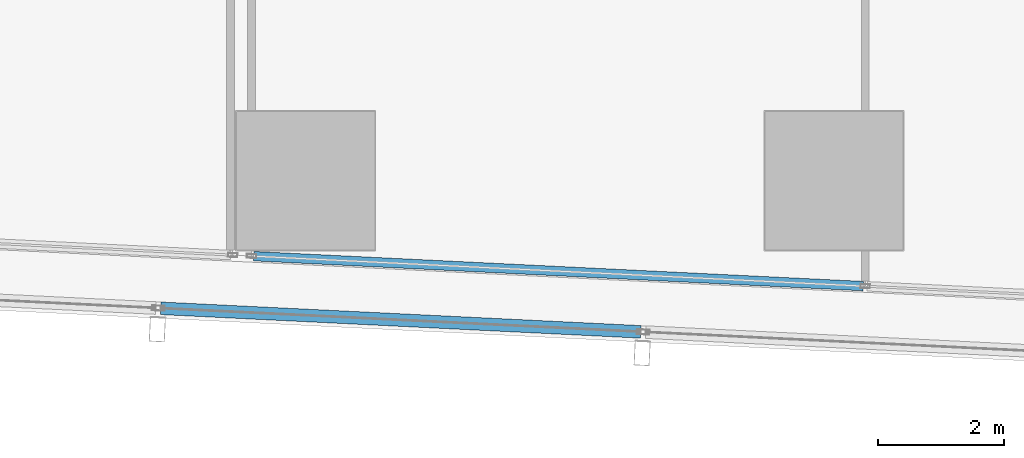
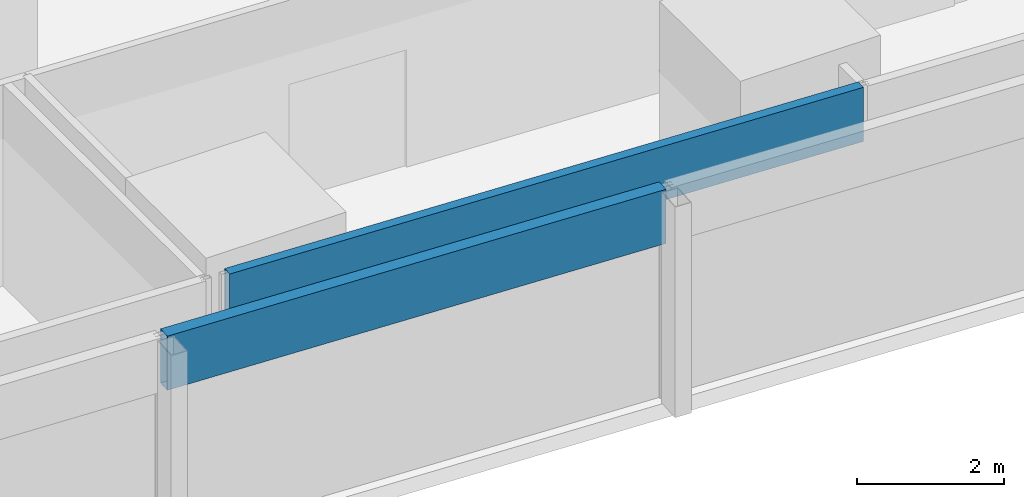
# One storey, part 3 of 44: 2 members, 2 elements without a shape of their own.
"""IFC4 building model written with IfcOpenShell, lengths in metres."""

import ifcopenshell
import ifcopenshell.guid

model = None  # the IFC model being written
_history = None  # IfcOwnerHistory: only IFC2X3 demands one
_inside = {}  # id of a spatial element -> (the spatial element, [elements in it])
_under = {}  # id of a project, library or spatial element -> (it, [spatial elements below it])
_declared = {}  # id of a project -> (the project, [libraries it declares])
_typed = {}  # id of a type object -> (the type object, [elements of that type])
_made_of = {}  # id of a material, layer set ... -> (it, [elements and type objects made of it])


def new_model(schema):
    """Start an empty IFC model of exactly this schema.

    Asked for "IFC4X3", IfcOpenShell would pick the latest addendum, in which some entities
    have other attributes; the version numbers below select the first issue.
    IFC2X3 requires an IfcOwnerHistory on every rooted entity: one is made here for all.
    """
    global model, _history
    if schema == "IFC4X3":
        model = ifcopenshell.file(schema_version=(4, 3, 0, 0))
    else:
        model = ifcopenshell.file(schema=schema)
    _inside.clear()
    _under.clear()
    _declared.clear()
    _typed.clear()
    _made_of.clear()
    _history = None
    if model.schema == "IFC2X3":
        org = make("IfcOrganization", Name="unknown")
        user = make(
            "IfcPersonAndOrganization",
            ThePerson=make("IfcPerson", FamilyName="unknown"),
            TheOrganization=org,
        )
        app = make(
            "IfcApplication",
            ApplicationDeveloper=org,
            Version="unknown",
            ApplicationFullName="unknown",
            ApplicationIdentifier="unknown",
        )
        _history = make(
            "IfcOwnerHistory",
            OwningUser=user,
            OwningApplication=app,
            ChangeAction="ADDED",
            CreationDate=0,
        )
    return model


def make(cls, **values):
    """One entity of the class cls with the attributes given. An attribute that is None is left unset."""
    return model.create_entity(
        cls, **{name: value for name, value in values.items() if value is not None}
    )


def rooted(cls, **values):
    """An entity with a GlobalId (a new one), such as an element, a storey or a relation."""
    return make(cls, GlobalId=ifcopenshell.guid.new(), OwnerHistory=_history, **values)


def si_unit(unit_type, name, prefix=None):
    """IfcSIUnit, for example si_unit("LENGTHUNIT", "METRE", prefix="MILLI")."""
    return make("IfcSIUnit", UnitType=unit_type, Prefix=prefix, Name=name)


def assignment(units):
    """IfcUnitAssignment: the units of a project."""
    return None if units is None else make("IfcUnitAssignment", Units=units)


def point(xyz):
    """IfcCartesianPoint."""
    return None if xyz is None else make("IfcCartesianPoint", Coordinates=xyz)


def direction(xyz):
    """IfcDirection."""
    return None if xyz is None else make("IfcDirection", DirectionRatios=xyz)


def frame(location, z_axis=None, x_axis=None):
    """IfcAxis2Placement3D, a coordinate frame: its origin and axes. An axis left out is left unset."""
    return make(
        "IfcAxis2Placement3D",
        Location=point(location),
        Axis=direction(z_axis),
        RefDirection=direction(x_axis),
    )


def frame_2d(location, x_axis=None):
    """IfcAxis2Placement2D, a coordinate frame in the plane: its origin and x axis."""
    return make(
        "IfcAxis2Placement2D", Location=point(location), RefDirection=direction(x_axis)
    )


def origin():
    """The frame at (0, 0, 0) with its axes left unset."""
    return frame((0.0, 0.0, 0.0))


def origin_2d():
    """The frame at (0, 0) in the plane with its x axis left unset."""
    return frame_2d((0.0, 0.0))


def place(relative_to, where):
    """IfcLocalPlacement: puts the frame where relative to a parent placement (None: the world)."""
    return make(
        "IfcLocalPlacement", PlacementRelTo=relative_to, RelativePlacement=where
    )


def context(
    kind, dimensions, precision=None, world=None, true_north=None, identifier=None
):
    """IfcGeometricRepresentationContext, for example the 3D "Model" context."""
    return make(
        "IfcGeometricRepresentationContext",
        ContextIdentifier=identifier,
        ContextType=kind,
        CoordinateSpaceDimension=dimensions,
        Precision=precision,
        WorldCoordinateSystem=world,
        TrueNorth=true_north,
    )


def subcontext(parent, identifier, kind, view, scale=None):
    """IfcGeometricRepresentationSubContext, for example "Body" below "Model"."""
    return make(
        "IfcGeometricRepresentationSubContext",
        ContextIdentifier=identifier,
        ContextType=kind,
        ParentContext=parent,
        TargetScale=scale,
        TargetView=view,
    )


def project(units=None, contexts=None):
    """IfcProject with its units and contexts."""
    return rooted(
        "IfcProject",
        Name="project",
        RepresentationContexts=contexts,
        UnitsInContext=assignment(units),
    )


def spatial(cls, under=None, at=None, **own):
    """A site, building, storey or space (cls), placed at a placement, below another one or the project."""
    s = rooted(cls, ObjectPlacement=at, **own)
    if under is not None:
        _under.setdefault(under.id(), (under, []))[1].append(s)
    return s


def profile(cls, at=None, kind="AREA", **sizes):
    """A parametric profile (cls). Its sizes go by their IFC names, for example OverallWidth=200.0."""
    return make(cls, ProfileType=kind, Position=at, **sizes)


def hollow_rectangle(**sizes):
    """IfcRectangleHollowProfileDef."""
    return profile("IfcRectangleHollowProfileDef", **sizes)


def extrude(swept, where, along, depth):
    """IfcExtrudedAreaSolid: the profile swept, set in the frame where, extruded along a direction by depth."""
    return make(
        "IfcExtrudedAreaSolid",
        SweptArea=swept,
        Position=where,
        ExtrudedDirection=direction(along),
        Depth=depth,
    )


def shape(context_of_items, identifier, shape_type, items):
    """IfcShapeRepresentation: the items that make up one representation, for example the "Body"."""
    return make(
        "IfcShapeRepresentation",
        ContextOfItems=context_of_items,
        RepresentationIdentifier=identifier,
        RepresentationType=shape_type,
        Items=items,
    )


def material(Name=None, Category=None):
    """IfcMaterial."""
    return make("IfcMaterial", Name=Name, Category=Category)


def material_profile(
    of_material, cross_section, Name=None, Category=None, Priority=None
):
    """IfcMaterialProfile: a cross section and its material."""
    return make(
        "IfcMaterialProfile",
        Name=Name,
        Material=of_material,
        Profile=cross_section,
        Priority=Priority,
        Category=Category,
    )


def profile_set(profiles, Name=None, composite=None):
    """IfcMaterialProfileSet."""
    return make(
        "IfcMaterialProfileSet",
        Name=Name,
        MaterialProfiles=profiles,
        CompositeProfile=composite,
    )


def made_of(thing, what):
    """Note that an element or type object is made of a material, layer set ...; save() writes the relation."""
    if what is not None:
        _made_of.setdefault(what.id(), (what, []))[1].append(thing)
    return thing


def type_object(cls, material=None, **own):
    """A type object (cls), such as IfcWallType, which elements share."""
    return made_of(rooted(cls, **own), material)


def element(
    cls,
    number,
    at=None,
    inside=None,
    cuts=None,
    type_object=None,
    material=None,
    context=None,
    identifier="Body",
    shape_type=None,
    held_by="IfcProductDefinitionShape",
    body=None,
    shapes=None,
    **own,
):
    """One element of the class cls, such as IfcWall. Its Tag is "e" and its number.

    at: its placement. inside: the storey or other place that contains it. cuts: it is an
    opening in that element (IfcRelVoidsElement). A single representation is given by context,
    identifier, shape_type and body (its items); several are given by shapes. held_by: the class
    of the entity that holds the representations. save() writes the other relations.
    """
    e = rooted(cls, Tag="e%d" % number, ObjectPlacement=at, **own)
    if body is not None:
        shapes = [shape(context, identifier, shape_type, body)]
    if shapes is not None:
        e.Representation = make(held_by, Representations=shapes)
    if inside is not None:
        _inside.setdefault(inside.id(), (inside, []))[1].append(e)
    if cuts is not None:
        rooted(
            "IfcRelVoidsElement", RelatingBuildingElement=cuts, RelatedOpeningElement=e
        )
    if type_object is not None:
        _typed.setdefault(type_object.id(), (type_object, []))[1].append(e)
    return made_of(e, material)


def aggregate(whole, parts):
    """IfcRelAggregates: a whole, such as a stair, and the parts it consists of."""
    return rooted("IfcRelAggregates", RelatingObject=whole, RelatedObjects=parts)


def save(model, path):
    """Write the relations noted so far, then the file.

    IfcRelAggregates (storeys below a building ...), IfcRelContainedInSpatialStructure (elements
    in a storey), IfcRelDefinesByType, IfcRelAssociatesMaterial and IfcRelDeclares: one each for
    every whole, place, type object, material and project.
    """
    for whole, parts in _under.values():
        aggregate(whole, parts)
    for where, things in _inside.values():
        rooted(
            "IfcRelContainedInSpatialStructure",
            RelatedElements=things,
            RelatingStructure=where,
        )
    for kind, things in _typed.values():
        rooted("IfcRelDefinesByType", RelatedObjects=things, RelatingType=kind)
    for what, things in _made_of.values():
        rooted("IfcRelAssociatesMaterial", RelatedObjects=things, RelatingMaterial=what)
    for by, libraries in _declared.values():
        rooted("IfcRelDeclares", RelatingContext=by, RelatedDefinitions=libraries)
    model.write(path)


model = new_model("IFC4")

# Units and contexts
model_context = context("Model", 3, precision=1e-05, world=origin(), true_north=direction((0.0, 1.0)))
body_context = subcontext(model_context, "Body", "Model", "MODEL_VIEW")
ifc_project = project(units=[si_unit("LENGTHUNIT", "METRE"), si_unit("AREAUNIT", "SQUARE_METRE"), si_unit("VOLUMEUNIT", "CUBIC_METRE"), si_unit("PLANEANGLEUNIT", "RADIAN"), si_unit("MASSUNIT", "GRAM", prefix="KILO")], contexts=[model_context])

# Site, building, storey
site_placement = place(None, origin())
site = spatial("IfcSite", under=ifc_project, at=site_placement, CompositionType="ELEMENT")
building_placement = place(site_placement, origin())
building = spatial("IfcBuilding", under=site, at=building_placement, Name="Rekha Terrace Tower", CompositionType="ELEMENT")
storey_placement = place(building_placement, frame((0.0, 0.0, 66.64990234375)))
storey = spatial("IfcBuildingStorey", under=building, at=storey_placement, Name="L16", CompositionType="ELEMENT", Elevation=66.64990234375)

# Curtain wall, member
ifc_material_1 = material(Name="Aluminium framing", Category="aluminium")
curtain_wall_type_1 = type_object("IfcCurtainWallType", Name="CW1 double skin inner glazing", PredefinedType="USERDEFINED", material=ifc_material_1)
curtain_wall_1_placement = place(storey_placement, origin())
curtain_wall_1 = element("IfcCurtainWall", 1, at=curtain_wall_1_placement, inside=storey, type_object=curtain_wall_type_1, Name="CW1 double skin inner glazing", ObjectType="DOUBLE SKIN INNER GLAZING", PredefinedType="USERDEFINED")
ifc_material_2 = material(Name="Insulated aluminium spandrel box", Category="aluminium")
ifc_material_profile_1 = material_profile(ifc_material_2, hollow_rectangle(XDim=0.14990234375, YDim=0.89990234375, WallThickness=0.0029296875, at=origin_2d()), Name="AL SPANDREL BOX 150x900")
ifc_profile_set_1 = profile_set([ifc_material_profile_1], Name="Insulated aluminium spandrel box")
member_type_1 = type_object("IfcMemberType", Name="CW1 spandrel transom 150 x 900", PredefinedType="USERDEFINED", material=ifc_profile_set_1)
member_1_placement = place(storey_placement, frame((15.973388671875, 7.200927734375, 3.050048828125), z_axis=(0.99879655824, -0.049045236754, 0.0), x_axis=(0.049045236754, 0.99879655824, 0.0)))
member_1 = element("IfcMember", 2, at=member_1_placement, type_object=member_type_1, Name="CW1 spandrel transom 1", ObjectType="TRANSOM", PredefinedType="USERDEFINED", context=body_context, shape_type="SweptSolid", body=[
    extrude(hollow_rectangle(XDim=0.14990234375, YDim=0.89990234375, WallThickness=0.0029296875, at=origin_2d()), origin(), (0.0, 0.0, 1.0), 9.701904296875),
])
aggregate(curtain_wall_1, [member_1])

curtain_wall_type_2 = type_object("IfcCurtainWallType", Name="CW2 double skin outer glazing", PredefinedType="USERDEFINED", material=ifc_material_1)
curtain_wall_2_placement = place(storey_placement, origin())
curtain_wall_2 = element("IfcCurtainWall", 3, at=curtain_wall_2_placement, inside=storey, type_object=curtain_wall_type_2, Name="CW2 double skin outer glazing", ObjectType="DOUBLE SKIN OUTER GLAZING", PredefinedType="USERDEFINED")
ifc_material_profile_2 = material_profile(ifc_material_2, hollow_rectangle(XDim=0.199951171875, YDim=0.89990234375, WallThickness=0.0029296875, at=origin_2d()), Name="AL SPANDREL BOX 200x900")
ifc_profile_set_2 = profile_set([ifc_material_profile_2], Name="Insulated aluminium spandrel box")
member_type_2 = type_object("IfcMemberType", Name="CW2 spandrel transom 200 x 900", PredefinedType="USERDEFINED", material=ifc_profile_set_2)
member_2_placement = place(storey_placement, frame((14.499755859375, 6.372314453125, 3.050048828125), z_axis=(0.998796511558, -0.049046187417, 0.0), x_axis=(0.049046187417, 0.998796511558, 0.0)))
member_2 = element("IfcMember", 4, at=member_2_placement, type_object=member_type_2, Name="CW2 spandrel transom 2", ObjectType="TRANSOM", PredefinedType="USERDEFINED", context=body_context, shape_type="SweptSolid", body=[
    extrude(hollow_rectangle(XDim=0.199951171875, YDim=0.89990234375, WallThickness=0.0029296875, at=origin_2d()), origin(), (0.0, 0.0, 1.0), 7.635986328125),
])
aggregate(curtain_wall_2, [member_2])

save(model, "model.ifc")
